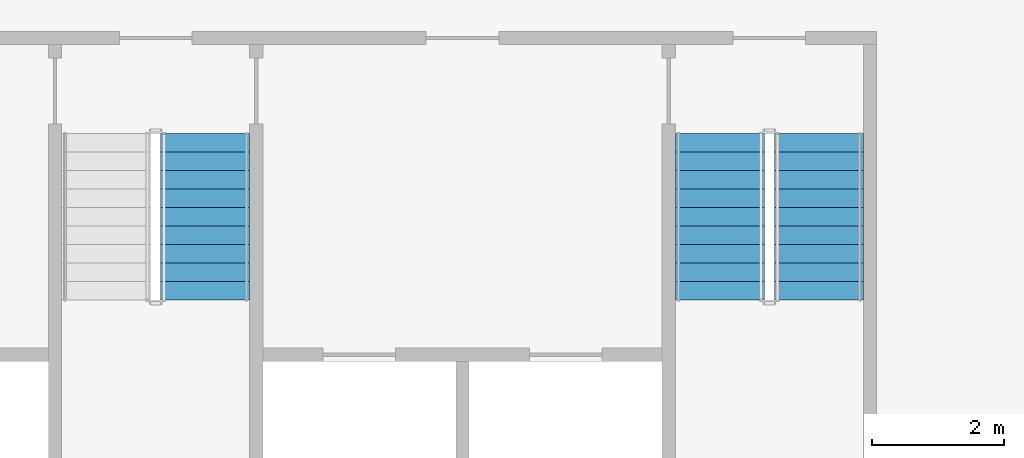
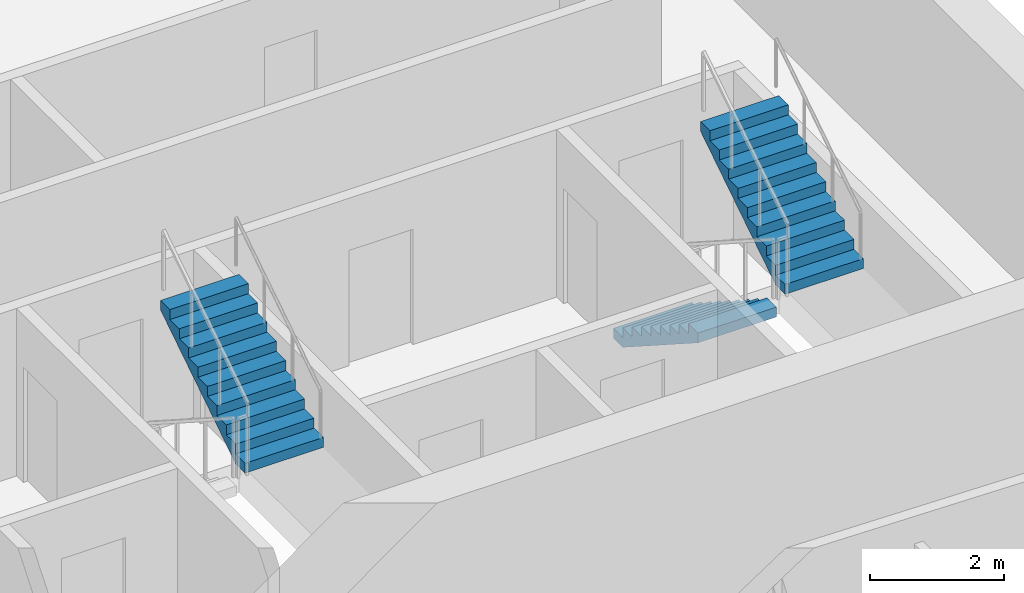
# One storey, part 13 of 17: 3 stair flights, 2 elements without a shape of their own.
"""IFC4 building model written with IfcOpenShell, lengths in metres."""

import ifcopenshell
import ifcopenshell.guid

model = None  # the IFC model being written
_history = None  # IfcOwnerHistory: only IFC2X3 demands one
_inside = {}  # id of a spatial element -> (the spatial element, [elements in it])
_under = {}  # id of a project, library or spatial element -> (it, [spatial elements below it])
_declared = {}  # id of a project -> (the project, [libraries it declares])
_typed = {}  # id of a type object -> (the type object, [elements of that type])
_made_of = {}  # id of a material, layer set ... -> (it, [elements and type objects made of it])


def new_model(schema):
    """Start an empty IFC model of exactly this schema.

    Asked for "IFC4X3", IfcOpenShell would pick the latest addendum, in which some entities
    have other attributes; the version numbers below select the first issue.
    IFC2X3 requires an IfcOwnerHistory on every rooted entity: one is made here for all.
    """
    global model, _history
    if schema == "IFC4X3":
        model = ifcopenshell.file(schema_version=(4, 3, 0, 0))
    else:
        model = ifcopenshell.file(schema=schema)
    _inside.clear()
    _under.clear()
    _declared.clear()
    _typed.clear()
    _made_of.clear()
    _history = None
    if model.schema == "IFC2X3":
        org = make("IfcOrganization", Name="unknown")
        user = make(
            "IfcPersonAndOrganization",
            ThePerson=make("IfcPerson", FamilyName="unknown"),
            TheOrganization=org,
        )
        app = make(
            "IfcApplication",
            ApplicationDeveloper=org,
            Version="unknown",
            ApplicationFullName="unknown",
            ApplicationIdentifier="unknown",
        )
        _history = make(
            "IfcOwnerHistory",
            OwningUser=user,
            OwningApplication=app,
            ChangeAction="ADDED",
            CreationDate=0,
        )
    return model


def make(cls, **values):
    """One entity of the class cls with the attributes given. An attribute that is None is left unset."""
    return model.create_entity(
        cls, **{name: value for name, value in values.items() if value is not None}
    )


def rooted(cls, **values):
    """An entity with a GlobalId (a new one), such as an element, a storey or a relation."""
    return make(cls, GlobalId=ifcopenshell.guid.new(), OwnerHistory=_history, **values)


def si_unit(unit_type, name, prefix=None):
    """IfcSIUnit, for example si_unit("LENGTHUNIT", "METRE", prefix="MILLI")."""
    return make("IfcSIUnit", UnitType=unit_type, Prefix=prefix, Name=name)


def assignment(units):
    """IfcUnitAssignment: the units of a project."""
    return None if units is None else make("IfcUnitAssignment", Units=units)


def point(xyz):
    """IfcCartesianPoint."""
    return None if xyz is None else make("IfcCartesianPoint", Coordinates=xyz)


def direction(xyz):
    """IfcDirection."""
    return None if xyz is None else make("IfcDirection", DirectionRatios=xyz)


def frame(location, z_axis=None, x_axis=None):
    """IfcAxis2Placement3D, a coordinate frame: its origin and axes. An axis left out is left unset."""
    return make(
        "IfcAxis2Placement3D",
        Location=point(location),
        Axis=direction(z_axis),
        RefDirection=direction(x_axis),
    )


def origin():
    """The frame at (0, 0, 0) with its axes left unset."""
    return frame((0.0, 0.0, 0.0))


def place(relative_to, where):
    """IfcLocalPlacement: puts the frame where relative to a parent placement (None: the world)."""
    return make(
        "IfcLocalPlacement", PlacementRelTo=relative_to, RelativePlacement=where
    )


def context(
    kind, dimensions, precision=None, world=None, true_north=None, identifier=None
):
    """IfcGeometricRepresentationContext, for example the 3D "Model" context."""
    return make(
        "IfcGeometricRepresentationContext",
        ContextIdentifier=identifier,
        ContextType=kind,
        CoordinateSpaceDimension=dimensions,
        Precision=precision,
        WorldCoordinateSystem=world,
        TrueNorth=true_north,
    )


def subcontext(parent, identifier, kind, view, scale=None):
    """IfcGeometricRepresentationSubContext, for example "Body" below "Model"."""
    return make(
        "IfcGeometricRepresentationSubContext",
        ContextIdentifier=identifier,
        ContextType=kind,
        ParentContext=parent,
        TargetScale=scale,
        TargetView=view,
    )


def project(units=None, contexts=None):
    """IfcProject with its units and contexts."""
    return rooted(
        "IfcProject",
        Name="project",
        RepresentationContexts=contexts,
        UnitsInContext=assignment(units),
    )


def spatial(cls, under=None, at=None, **own):
    """A site, building, storey or space (cls), placed at a placement, below another one or the project."""
    s = rooted(cls, ObjectPlacement=at, **own)
    if under is not None:
        _under.setdefault(under.id(), (under, []))[1].append(s)
    return s


def polyline(points):
    """IfcPolyline through the points."""
    return make("IfcPolyline", Points=[point(p) for p in points])


def outline(outer, holes=None, kind="AREA"):
    """IfcArbitraryClosedProfileDef: a profile drawn as a closed curve; with holes, ...WithVoids."""
    if holes is None:
        return make("IfcArbitraryClosedProfileDef", ProfileType=kind, OuterCurve=outer)
    return make(
        "IfcArbitraryProfileDefWithVoids",
        ProfileType=kind,
        OuterCurve=outer,
        InnerCurves=holes,
    )


def extrude(swept, where, along, depth):
    """IfcExtrudedAreaSolid: the profile swept, set in the frame where, extruded along a direction by depth."""
    return make(
        "IfcExtrudedAreaSolid",
        SweptArea=swept,
        Position=where,
        ExtrudedDirection=direction(along),
        Depth=depth,
    )


def shape(context_of_items, identifier, shape_type, items):
    """IfcShapeRepresentation: the items that make up one representation, for example the "Body"."""
    return make(
        "IfcShapeRepresentation",
        ContextOfItems=context_of_items,
        RepresentationIdentifier=identifier,
        RepresentationType=shape_type,
        Items=items,
    )


def material(Name=None, Category=None):
    """IfcMaterial."""
    return make("IfcMaterial", Name=Name, Category=Category)


def made_of(thing, what):
    """Note that an element or type object is made of a material, layer set ...; save() writes the relation."""
    if what is not None:
        _made_of.setdefault(what.id(), (what, []))[1].append(thing)
    return thing


def type_object(cls, material=None, **own):
    """A type object (cls), such as IfcWallType, which elements share."""
    return made_of(rooted(cls, **own), material)


def element(
    cls,
    number,
    at=None,
    inside=None,
    cuts=None,
    type_object=None,
    material=None,
    context=None,
    identifier="Body",
    shape_type=None,
    held_by="IfcProductDefinitionShape",
    body=None,
    shapes=None,
    **own,
):
    """One element of the class cls, such as IfcWall. Its Tag is "e" and its number.

    at: its placement. inside: the storey or other place that contains it. cuts: it is an
    opening in that element (IfcRelVoidsElement). A single representation is given by context,
    identifier, shape_type and body (its items); several are given by shapes. held_by: the class
    of the entity that holds the representations. save() writes the other relations.
    """
    e = rooted(cls, Tag="e%d" % number, ObjectPlacement=at, **own)
    if body is not None:
        shapes = [shape(context, identifier, shape_type, body)]
    if shapes is not None:
        e.Representation = make(held_by, Representations=shapes)
    if inside is not None:
        _inside.setdefault(inside.id(), (inside, []))[1].append(e)
    if cuts is not None:
        rooted(
            "IfcRelVoidsElement", RelatingBuildingElement=cuts, RelatedOpeningElement=e
        )
    if type_object is not None:
        _typed.setdefault(type_object.id(), (type_object, []))[1].append(e)
    return made_of(e, material)


def aggregate(whole, parts):
    """IfcRelAggregates: a whole, such as a stair, and the parts it consists of."""
    return rooted("IfcRelAggregates", RelatingObject=whole, RelatedObjects=parts)


def save(model, path):
    """Write the relations noted so far, then the file.

    IfcRelAggregates (storeys below a building ...), IfcRelContainedInSpatialStructure (elements
    in a storey), IfcRelDefinesByType, IfcRelAssociatesMaterial and IfcRelDeclares: one each for
    every whole, place, type object, material and project.
    """
    for whole, parts in _under.values():
        aggregate(whole, parts)
    for where, things in _inside.values():
        rooted(
            "IfcRelContainedInSpatialStructure",
            RelatedElements=things,
            RelatingStructure=where,
        )
    for kind, things in _typed.values():
        rooted("IfcRelDefinesByType", RelatedObjects=things, RelatingType=kind)
    for what, things in _made_of.values():
        rooted("IfcRelAssociatesMaterial", RelatedObjects=things, RelatingMaterial=what)
    for by, libraries in _declared.values():
        rooted("IfcRelDeclares", RelatingContext=by, RelatedDefinitions=libraries)
    model.write(path)


model = new_model("IFC4")

# Units and contexts
model_context = context("Model", 3, precision=1e-05, world=origin(), true_north=direction((0.0, 1.0)))
body_context = subcontext(model_context, "Body", "Model", "MODEL_VIEW")
ifc_project = project(units=[si_unit("LENGTHUNIT", "METRE"), si_unit("AREAUNIT", "SQUARE_METRE"), si_unit("VOLUMEUNIT", "CUBIC_METRE"), si_unit("PLANEANGLEUNIT", "RADIAN"), si_unit("MASSUNIT", "GRAM", prefix="KILO")], contexts=[model_context])

# Site, building, storey
site_placement = place(None, origin())
site = spatial("IfcSite", under=ifc_project, at=site_placement, CompositionType="ELEMENT")
building_placement = place(site_placement, origin())
building = spatial("IfcBuilding", under=site, at=building_placement, Name="Mangrove Gate Tower", CompositionType="ELEMENT")
storey_placement = place(building_placement, frame((0.0, 0.0, 264.5)))
storey = spatial("IfcBuildingStorey", under=building, at=storey_placement, Name="L67", CompositionType="ELEMENT", Elevation=264.5)

# Stair, stair flight
ifc_material_1 = material(Name="Concrete C40/50", Category="concrete")
stair_type = type_object("IfcStairType", Name="Core stair 1350", PredefinedType="HALF_TURN_STAIR", material=ifc_material_1)
stair_1_placement = place(storey_placement, origin())
stair_1 = element("IfcStair", 1, at=stair_1_placement, inside=storey, type_object=stair_type, Name="L67 Stair 2", PredefinedType="HALF_TURN_STAIR")
ifc_material_2 = material(Name="Concrete C40/50", Category="concrete")
stair_flight_type = type_object("IfcStairFlightType", Name="Core stair flight 1350", PredefinedType="STRAIGHT", material=ifc_material_2)
stair_flight_1_placement = place(storey_placement, frame((0.72509765625, -7.169921875, 1.800048828125), z_axis=(0.0, 0.0, 1.0), x_axis=(0.0, 1.0, 0.0)))
stair_flight_1 = element("IfcStairFlight", 2, at=stair_flight_1_placement, type_object=stair_flight_type, Name="ST2 flight 2", NumberOfRisers=10, NumberOfTreads=9, PredefinedType="STRAIGHT", RiserHeight=0.18, TreadLength=0.28, context=body_context, shape_type="SweptSolid", body=[
    extrude(outline(polyline([(0.0, 0.0), (0.0, 0.179931640625), (0.280029296875, 0.179931640625), (0.280029296875, 0.360107421875), (0.56005859375, 0.360107421875), (0.56005859375, 0.5400390625), (0.840087890625, 0.5400390625), (0.840087890625, 0.719970703125), (1.1201171875, 0.719970703125), (1.1201171875, 0.89990234375), (1.39990234375, 0.89990234375), (1.39990234375, 1.080078125), (1.679931640625, 1.080078125), (1.679931640625, 1.260009765625), (1.9599609375, 1.260009765625), (1.9599609375, 1.43994140625), (2.239990234375, 1.43994140625), (2.239990234375, 1.6201171875), (2.52001953125, 1.6201171875), (2.52001953125, 1.800048828125), (2.52001953125, 1.44189453125), (0.277099609375, 0.0), (0.0, 0.0)])), frame((0.0, 0.675048828125, 0.0), z_axis=(0.0, -1.0, 0.0), x_axis=(1.0, 0.0, 0.0)), (0.0, 0.0, 1.0), 1.35009765625),
])
aggregate(stair_1, [stair_flight_1])

# Stair, stair flights
stair_2_placement = place(storey_placement, origin())
stair_2 = element("IfcStair", 3, at=stair_2_placement, inside=storey, type_object=stair_type, Name="L67 Stair 3", PredefinedType="HALF_TURN_STAIR")
stair_flight_2_placement = place(storey_placement, frame((8.52490234375, -4.64990234375, 0.0), z_axis=(0.0, 0.0, 1.0), x_axis=(0.0, -1.0, 0.0)))
stair_flight_2 = element("IfcStairFlight", 4, at=stair_flight_2_placement, type_object=stair_flight_type, Name="ST3 flight 1", NumberOfRisers=10, NumberOfTreads=9, PredefinedType="STRAIGHT", RiserHeight=0.18, TreadLength=0.28, context=body_context, shape_type="SweptSolid", body=[
    extrude(outline(polyline([(0.0, 0.0), (0.0, 0.179931640625), (0.280029296875, 0.179931640625), (0.280029296875, 0.360107421875), (0.56005859375, 0.360107421875), (0.56005859375, 0.5400390625), (0.840087890625, 0.5400390625), (0.840087890625, 0.719970703125), (1.1201171875, 0.719970703125), (1.1201171875, 0.89990234375), (1.39990234375, 0.89990234375), (1.39990234375, 1.080078125), (1.679931640625, 1.080078125), (1.679931640625, 1.260009765625), (1.9599609375, 1.260009765625), (1.9599609375, 1.43994140625), (2.239990234375, 1.43994140625), (2.239990234375, 1.6201171875), (2.52001953125, 1.6201171875), (2.52001953125, 1.800048828125), (2.52001953125, 1.44189453125), (0.277099609375, 0.0), (0.0, 0.0)])), frame((0.0, 0.675048828125, 0.0), z_axis=(0.0, -1.0, 0.0), x_axis=(1.0, 0.0, 0.0)), (0.0, 0.0, 1.0), 1.35009765625),
])
stair_flight_3_placement = place(storey_placement, frame((10.02490234375, -7.169921875, 1.800048828125), z_axis=(0.0, 0.0, 1.0), x_axis=(0.0, 1.0, 0.0)))
stair_flight_3 = element("IfcStairFlight", 5, at=stair_flight_3_placement, type_object=stair_flight_type, Name="ST3 flight 2", NumberOfRisers=10, NumberOfTreads=9, PredefinedType="STRAIGHT", RiserHeight=0.18, TreadLength=0.28, context=body_context, shape_type="SweptSolid", body=[
    extrude(outline(polyline([(0.0, 0.0), (0.0, 0.179931640625), (0.280029296875, 0.179931640625), (0.280029296875, 0.360107421875), (0.56005859375, 0.360107421875), (0.56005859375, 0.5400390625), (0.840087890625, 0.5400390625), (0.840087890625, 0.719970703125), (1.1201171875, 0.719970703125), (1.1201171875, 0.89990234375), (1.39990234375, 0.89990234375), (1.39990234375, 1.080078125), (1.679931640625, 1.080078125), (1.679931640625, 1.260009765625), (1.9599609375, 1.260009765625), (1.9599609375, 1.43994140625), (2.239990234375, 1.43994140625), (2.239990234375, 1.6201171875), (2.52001953125, 1.6201171875), (2.52001953125, 1.800048828125), (2.52001953125, 1.44189453125), (0.277099609375, 0.0), (0.0, 0.0)])), frame((0.0, 0.675048828125, 0.0), z_axis=(0.0, -1.0, 0.0), x_axis=(1.0, 0.0, 0.0)), (0.0, 0.0, 1.0), 1.35009765625),
])
aggregate(stair_2, [stair_flight_2, stair_flight_3])

save(model, "model.ifc")
